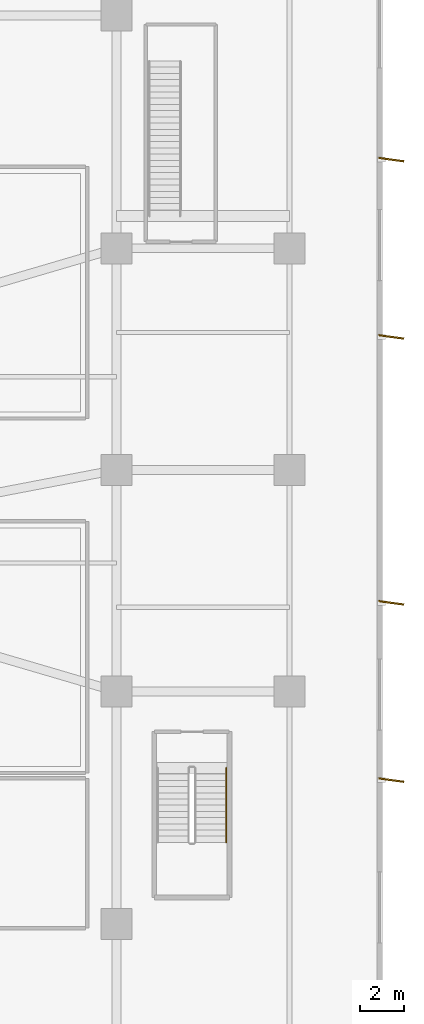
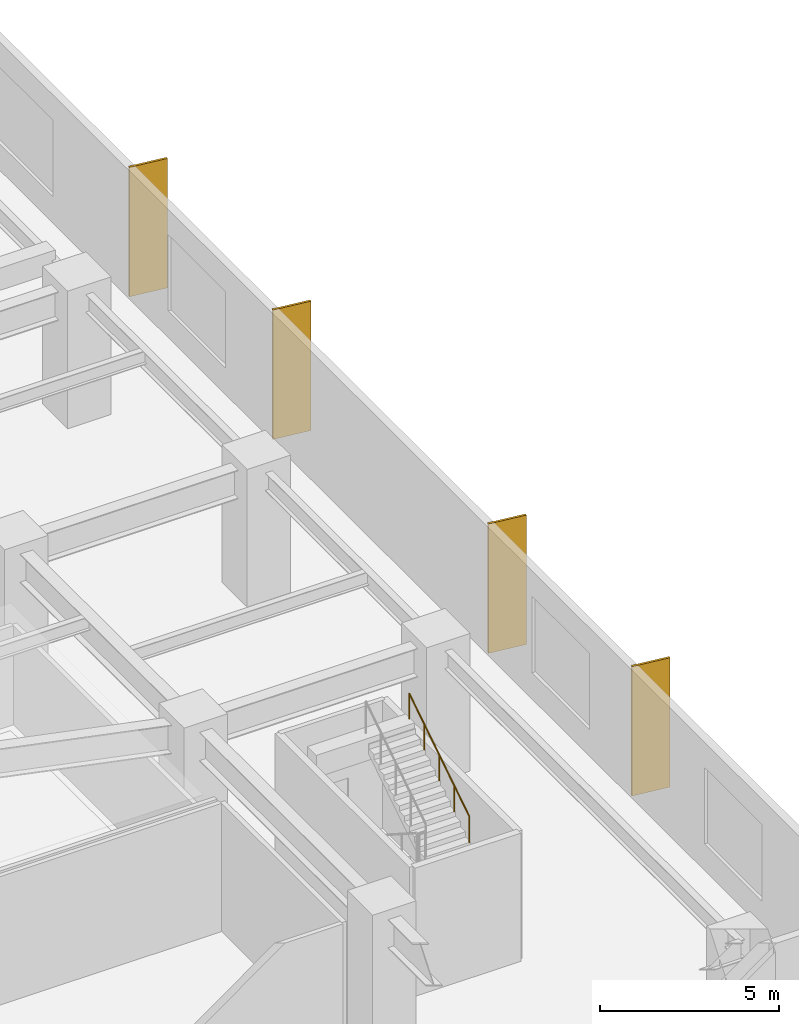
# One storey, part 12 of 12: 4 shading devices, 1 railing.
"""IFC4 building model written with IfcOpenShell, lengths in metres."""

from ifc_helpers import new_model, si_unit, direction, frame, origin, origin_2d, place, context, subcontext, project, spatial, rectangle, circle, extrude, material, layer, layer_set, type_object, element, save


model = new_model("IFC4")

# Units and contexts
model_context = context("Model", 3, precision=1e-05, world=origin(), true_north=direction((0.0, 1.0)))
body_context = subcontext(model_context, "Body", "Model", "MODEL_VIEW")
ifc_project = project(units=[si_unit("LENGTHUNIT", "METRE"), si_unit("AREAUNIT", "SQUARE_METRE"), si_unit("VOLUMEUNIT", "CUBIC_METRE"), si_unit("PLANEANGLEUNIT", "RADIAN"), si_unit("MASSUNIT", "GRAM", prefix="KILO")], contexts=[model_context])

# Site, building, storey
site_placement = place(None, origin())
site = spatial("IfcSite", under=ifc_project, at=site_placement, CompositionType="ELEMENT")
building_placement = place(site_placement, origin())
building = spatial("IfcBuilding", under=site, at=building_placement, Name="Solmarez Civic Tower", CompositionType="ELEMENT")
storey_placement = place(building_placement, frame((0.0, 0.0, 5.39990234375)))
storey = spatial("IfcBuildingStorey", under=building, at=storey_placement, Name="L01", CompositionType="ELEMENT", Elevation=5.39990234375)

# Shading devices
ifc_material_1 = material(Name="Bronze Anodised Aluminium EN AW-6063 T6", Category="aluminium")
ifc_layer = layer(ifc_material_1, 0.070068359375)
ifc_layer_set = layer_set([ifc_layer], Name="Bronze Anodised Aluminium EN AW-6063 T6")
shading_device_type = type_object("IfcShadingDeviceType", Name="FIN-BRONZE-POD", PredefinedType="USERDEFINED", material=ifc_layer_set)
for number, where, z_axis, x_axis, name in (
    (1, (36.39501953125, -14.0, -0.039794921875), (0.0, 0.0, 1.0), (0.990983199715, -0.133986185418, 0.0), "L01 Anodised Bronze Solar Fin FIN-L01-E1"),
    (2, (36.39501953125, -6.0, -0.039794921875), (0.0, 0.0, 1.0), (0.990983199715, -0.133986185418, 0.0), "L01 Anodised Bronze Solar Fin FIN-L01-E2"),
    (3, (36.39501953125, 6.0, -0.039794921875), (0.0, 0.0, 1.0), (0.990983199715, -0.133986185418, 0.0), "L01 Anodised Bronze Solar Fin FIN-L01-E3"),
    (4, (36.39501953125, 14.0, -0.039794921875), (0.0, 0.0, 1.0), (0.990983199715, -0.133986185418, 0.0), "L01 Anodised Bronze Solar Fin FIN-L01-E4"),
):
    element("IfcShadingDevice", number, at=place(storey_placement, frame(where, z_axis=z_axis, x_axis=x_axis)), inside=storey, type_object=shading_device_type, Name=name, ObjectType="FIN", PredefinedType="USERDEFINED", context=body_context, shape_type="SweptSolid", body=[
        extrude(rectangle(XDim=1.14990234375, YDim=0.070068359375, at=origin_2d()), origin(), (0.0, 0.0, 1.0), 4.39990234375),
    ])

# Railing
ifc_material_2 = material(Name="Brushed Stainless Steel Tube Handrail", Category="steel")
railing_type = type_object("IfcRailingType", Name="HANDRAIL-STAIR-900", PredefinedType="HANDRAIL", material=ifc_material_2)
railing_placement = place(storey_placement, frame((28.949951171875, -16.81005859375, 2.52001953125)))
element("IfcRailing", 5, at=railing_placement, inside=storey, type_object=railing_type, Name="L01 ST-P2 stair handrail 2", PredefinedType="HANDRAIL", context=body_context, shape_type="SweptSolid", body=[
    extrude(circle(Radius=0.02392578125, at=origin_2d()), frame((0.0, 0.0, 0.8759765625), z_axis=(0.0, 0.8411685463, 0.540773036232), x_axis=(-1.0, 0.0, 0.0)), (0.0, 0.0, 1.0), 3.99462890625),
    extrude(circle(Radius=0.02099609375, at=origin_2d()), origin(), (0.0, 0.0, 1.0), 0.851806640625),
    extrude(circle(Radius=0.02099609375, at=origin_2d()), frame((0.0, 0.840087890625, 0.5400390625)), (0.0, 0.0, 1.0), 0.851806640625),
    extrude(circle(Radius=0.02099609375, at=origin_2d()), frame((0.0, 1.68017578125, 1.080078125)), (0.0, 0.0, 1.0), 0.851806640625),
    extrude(circle(Radius=0.02099609375, at=origin_2d()), frame((0.0, 2.52001953125, 1.6201171875)), (0.0, 0.0, 1.0), 0.851806640625),
    extrude(circle(Radius=0.02099609375, at=origin_2d()), frame((0.0, 3.360107421875, 2.16015625)), (0.0, 0.0, 1.0), 0.851806640625),
])

save(model, "model.ifc")
